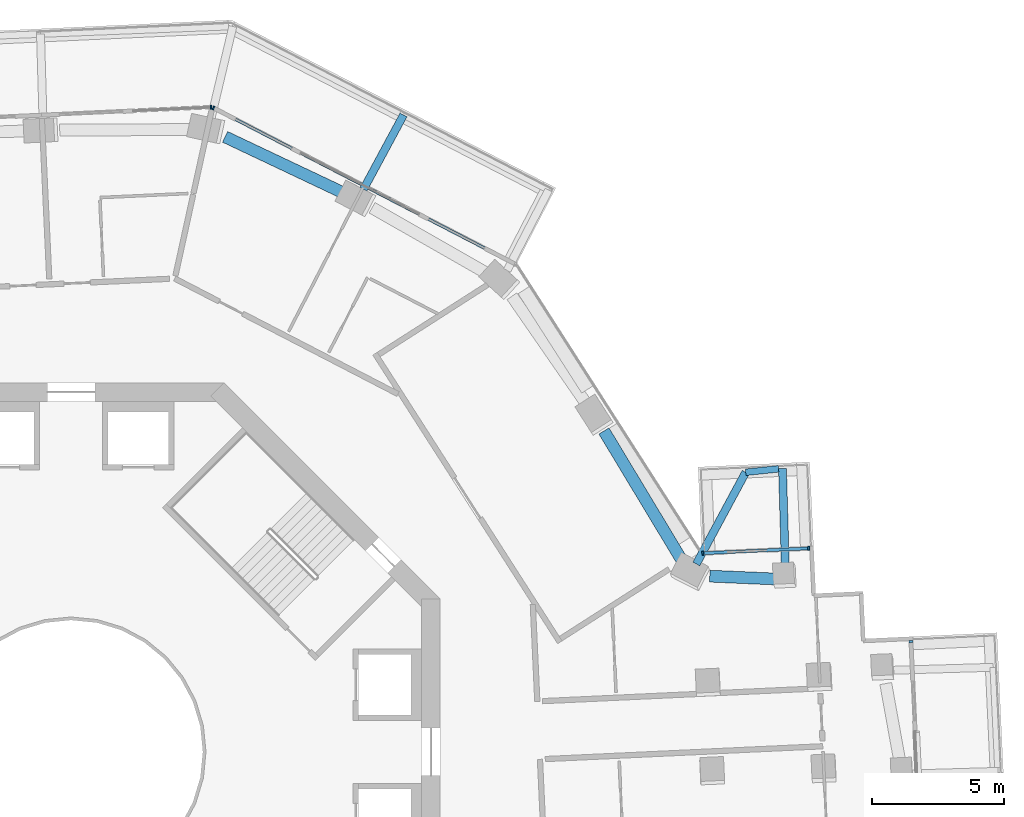
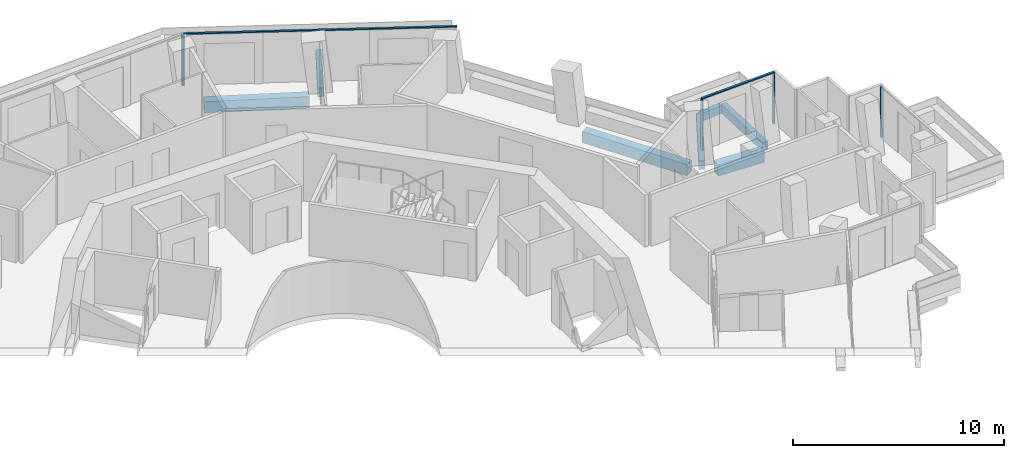
# One storey, part 9 of 22: 7 beams, 7 members, 4 elements without a shape of their own.
"""IFC4 building model written with IfcOpenShell, lengths in metres."""

from ifc_helpers import new_model, si_unit, direction, frame, origin, origin_2d, place, context, subcontext, project, spatial, rectangle, extrude, material, layer, layer_set, material_profile, profile_set, type_object, element, aggregate, save


model = new_model("IFC4")

# Units and contexts
model_context = context("Model", 3, precision=1e-05, world=origin(), true_north=direction((0.0, 1.0)))
body_context = subcontext(model_context, "Body", "Model", "MODEL_VIEW")
ifc_project = project(units=[si_unit("LENGTHUNIT", "METRE"), si_unit("AREAUNIT", "SQUARE_METRE"), si_unit("VOLUMEUNIT", "CUBIC_METRE"), si_unit("PLANEANGLEUNIT", "RADIAN"), si_unit("MASSUNIT", "GRAM", prefix="KILO")], contexts=[model_context])

# Site, building, storey
site_placement = place(None, origin())
site = spatial("IfcSite", under=ifc_project, at=site_placement, CompositionType="ELEMENT")
building_placement = place(site_placement, origin())
building = spatial("IfcBuilding", under=site, at=building_placement, Name="Verdalira Terraces Hotel", CompositionType="ELEMENT")
storey_placement = place(building_placement, frame((0.0, 0.0, 165.5)))
storey = spatial("IfcBuildingStorey", under=building, at=storey_placement, Name="L40", CompositionType="ELEMENT", Elevation=165.5)

# Beams
ifc_material_1 = material(Name="Concrete C40", Category="concrete")
ifc_material_profile_1 = material_profile(ifc_material_1, rectangle(XDim=0.300049, YDim=0.5, at=origin_2d()), Name="RC 300X500")
ifc_profile_set_1 = profile_set([ifc_material_profile_1], Name="Concrete C40")
beam_type_1 = type_object("IfcBeamType", Name="Balcony cantilever beam RC 300X500 C40", PredefinedType="BEAM", material=ifc_profile_set_1)
beam_1_placement = place(storey_placement, frame((27.101074, 6.984863, -0.560059), z_axis=(-0.029324861, 0.999569934, 0.0), x_axis=(-0.999569934, -0.029324861, 0.0)))
element("IfcBeam", 1, at=beam_1_placement, inside=storey, type_object=beam_type_1, Name="Balcony cantilever beam R38-1", PredefinedType="BEAM", context=body_context, shape_type="SweptSolid", body=[
    extrude(rectangle(XDim=0.300049, YDim=0.5, at=origin_2d()), origin(), (0.0, 0.0, 1.0), 3.771484),
])
beam_2_placement = place(storey_placement, frame((23.721191, 7.130615, -0.560059), z_axis=(0.474420444, 0.880298383, 0.0), x_axis=(-0.880298383, 0.474420444, 0.0)))
element("IfcBeam", 2, at=beam_2_placement, inside=storey, type_object=beam_type_1, Name="Balcony cantilever beam R38-2", PredefinedType="BEAM", context=body_context, shape_type="SweptSolid", body=[
    extrude(rectangle(XDim=0.300049, YDim=0.5, at=origin_2d()), origin(), (0.0, 0.0, 1.0), 3.950195),
])
beam_3_placement = place(storey_placement, frame((11.094482, 21.347168, -0.560059), z_axis=(0.474372721, 0.8803241, 0.0), x_axis=(-0.8803241, 0.474372721, 0.0)))
element("IfcBeam", 3, at=beam_3_placement, inside=storey, type_object=beam_type_1, Name="Balcony cantilever beam R40-2", PredefinedType="BEAM", context=body_context, shape_type="SweptSolid", body=[
    extrude(rectangle(XDim=0.300049, YDim=0.5, at=origin_2d()), origin(), (0.0, 0.0, 1.0), 3.200684),
])
ifc_material_2 = material(Name="Concrete C40", Category="concrete")
ifc_material_profile_2 = material_profile(ifc_material_2, rectangle(XDim=0.25, YDim=0.449951, at=origin_2d()), Name="RC 250X450")
ifc_profile_set_2 = profile_set([ifc_material_profile_2], Name="Concrete C40")
beam_type_2 = type_object("IfcBeamType", Name="Balcony edge beam RC 250X450 C40", PredefinedType="BEAM", material=ifc_profile_set_2)
beam_4_placement = place(storey_placement, frame((26.84082, 10.739014, -0.534912), z_axis=(-0.994506521, -0.104674638, 0.0), x_axis=(0.104674638, -0.994506521, 0.0)))
element("IfcBeam", 4, at=beam_4_placement, inside=storey, type_object=beam_type_2, Name="Balcony edge beam R38-1", PredefinedType="BEAM", context=body_context, shape_type="SweptSolid", body=[
    extrude(rectangle(XDim=0.25, YDim=0.449951, at=origin_2d()), origin(), (0.0, 0.0, 1.0), 1.252441),
])

# Curtain wall, member
ifc_material_3 = material(Name="Clear glass", Category="glass")
ifc_layer_1 = layer(ifc_material_3, 0.14990234375)
ifc_layer_set_1 = layer_set([ifc_layer_1], Name="CW1 curtain wall")
curtain_wall_type_1 = type_object("IfcCurtainWallType", Name="CW1 curtain wall", PredefinedType="NOTDEFINED", material=ifc_layer_set_1)
curtain_wall_1_placement = place(storey_placement, origin())
curtain_wall_1 = element("IfcCurtainWall", 5, at=curtain_wall_1_placement, inside=storey, type_object=curtain_wall_type_1, Name="CW1 curtain wall L40 edge 40", PredefinedType="NOTDEFINED")
ifc_material_4 = material(Name="Terracotta frame", Category="masonry")
ifc_material_profile_3 = material_profile(ifc_material_4, rectangle(XDim=0.060059, YDim=0.149902, at=origin_2d()), Name="MU 60x150")
ifc_profile_set_3 = profile_set([ifc_material_profile_3], Name="Terracotta frame")
member_type_1 = type_object("IfcMemberType", Name="CW1 mullion 60x150", PredefinedType="MULLION", material=ifc_profile_set_3)
member_1_placement = place(storey_placement, frame((5.403564, 24.433105, 0.0), z_axis=(0.0, 0.0, 1.0), x_axis=(-0.888136449, 0.459579861, 0.0)))
member_1 = element("IfcMember", 6, at=member_1_placement, type_object=member_type_1, Name="CW1 mullion", PredefinedType="MULLION", context=body_context, shape_type="SweptSolid", body=[
    extrude(rectangle(XDim=0.060059, YDim=0.149902, at=origin_2d()), origin(), (0.0, 0.0, 1.0), 2.935059),
])

curtain_wall_2_placement = place(storey_placement, origin())
curtain_wall_2 = element("IfcCurtainWall", 7, at=curtain_wall_2_placement, inside=storey, type_object=curtain_wall_type_1, Name="CW1 curtain wall L40 edge 41", PredefinedType="NOTDEFINED")
member_2_placement = place(storey_placement, frame((5.309082, 24.453857, 0.0), z_axis=(0.0, 0.0, 1.0), x_axis=(-0.998938657, -0.04606039, 0.0)))
member_2 = element("IfcMember", 8, at=member_2_placement, type_object=member_type_1, Name="CW1 mullion", PredefinedType="MULLION", context=body_context, shape_type="SweptSolid", body=[
    extrude(rectangle(XDim=0.060059, YDim=0.149902, at=origin_2d()), origin(), (0.0, 0.0, 1.0), 2.935059),
])
aggregate(curtain_wall_2, [member_2])

# Member
ifc_material_5 = material(Name="Terracotta frame", Category="masonry")
ifc_material_profile_4 = material_profile(ifc_material_5, rectangle(XDim=0.110107, YDim=0.064941, at=origin_2d()), Name="TR 65x110")
ifc_profile_set_4 = profile_set([ifc_material_profile_4], Name="Terracotta frame")
member_type_2 = type_object("IfcMemberType", Name="CW1 transom 65x110", PredefinedType="USERDEFINED", material=ifc_profile_set_4)
member_3_placement = place(storey_placement, frame((16.886963, 18.490723, 2.967529), z_axis=(-0.888135719, 0.459581271, 0.0), x_axis=(-0.459581271, -0.888135719, 0.0)))
member_3 = element("IfcMember", 9, at=member_3_placement, type_object=member_type_2, Name="CW1 transom", ObjectType="TRANSOM", PredefinedType="USERDEFINED", context=body_context, shape_type="SweptSolid", body=[
    extrude(rectangle(XDim=0.110107, YDim=0.064941, at=origin_2d()), origin(), (0.0, 0.0, 1.0), 12.959717),
])

aggregate(curtain_wall_1, [member_1, member_3])

# Curtain wall, members
ifc_material_6 = material(Name="Clear glass", Category="glass")
ifc_layer_2 = layer(ifc_material_6, 0.14990234375)
ifc_layer_set_2 = layer_set([ifc_layer_2], Name="CW2 curtain wall")
curtain_wall_type_2 = type_object("IfcCurtainWallType", Name="CW2 curtain wall", PredefinedType="NOTDEFINED", material=ifc_layer_set_2)
curtain_wall_3_placement = place(storey_placement, origin())
curtain_wall_3 = element("IfcCurtainWall", 10, at=curtain_wall_3_placement, inside=storey, type_object=curtain_wall_type_2, Name="CW2 curtain wall L40 edge 38", PredefinedType="NOTDEFINED")
ifc_material_7 = material(Name="Terracotta frame", Category="masonry")
ifc_material_profile_5 = material_profile(ifc_material_7, rectangle(XDim=0.070068, YDim=0.149902, at=origin_2d()), Name="MU 70x150")
ifc_profile_set_5 = profile_set([ifc_material_profile_5], Name="Terracotta frame")
member_type_3 = type_object("IfcMemberType", Name="CW2 mullion 70x150", PredefinedType="MULLION", material=ifc_profile_set_5)
member_4_placement = place(storey_placement, frame((27.987793, 7.722412, 0.0), z_axis=(0.0, 0.0, 1.0), x_axis=(-0.998938657, -0.04606039, 0.0)))
member_4 = element("IfcMember", 11, at=member_4_placement, type_object=member_type_3, Name="CW2 mullion", PredefinedType="MULLION", context=body_context, shape_type="SweptSolid", body=[
    extrude(rectangle(XDim=0.070068, YDim=0.149902, at=origin_2d()), origin(), (0.0, 0.0, 1.0), 2.935059),
])
member_5_placement = place(storey_placement, frame((23.97168, 7.537109, 0.0), z_axis=(0.0, 0.0, 1.0), x_axis=(-0.998938657, -0.04606039, 0.0)))
member_5 = element("IfcMember", 12, at=member_5_placement, type_object=member_type_3, Name="CW2 mullion", PredefinedType="MULLION", context=body_context, shape_type="SweptSolid", body=[
    extrude(rectangle(XDim=0.070068, YDim=0.149902, at=origin_2d()), origin(), (0.0, 0.0, 1.0), 2.935059),
])
ifc_material_8 = material(Name="Terracotta frame", Category="masonry")
ifc_material_profile_6 = material_profile(ifc_material_8, rectangle(XDim=0.11499, YDim=0.064941, at=origin_2d()), Name="TR 65x115")
ifc_profile_set_6 = profile_set([ifc_material_profile_6], Name="Terracotta frame")
member_type_4 = type_object("IfcMemberType", Name="CW2 transom 65x115", PredefinedType="USERDEFINED", material=ifc_profile_set_6)
member_6_placement = place(storey_placement, frame((28.022705, 7.723877, 2.967529), z_axis=(-0.998940539, -0.046019548, 0.0), x_axis=(0.046019548, -0.998940539, 0.0)))
member_6 = element("IfcMember", 13, at=member_6_placement, type_object=member_type_4, Name="CW2 transom", ObjectType="TRANSOM", PredefinedType="USERDEFINED", context=body_context, shape_type="SweptSolid", body=[
    extrude(rectangle(XDim=0.11499, YDim=0.064941, at=origin_2d()), origin(), (0.0, 0.0, 1.0), 4.090332),
])
aggregate(curtain_wall_3, [member_4, member_5, member_6])

# Curtain wall, member
ifc_material_9 = material(Name="Clear glass", Category="glass")
ifc_layer_3 = layer(ifc_material_9, 0.14990234375)
ifc_layer_set_3 = layer_set([ifc_layer_3], Name="CW3 curtain wall")
curtain_wall_type_3 = type_object("IfcCurtainWallType", Name="CW3 curtain wall", PredefinedType="NOTDEFINED", material=ifc_layer_set_3)
curtain_wall_4_placement = place(storey_placement, origin())
curtain_wall_4 = element("IfcCurtainWall", 14, at=curtain_wall_4_placement, inside=storey, type_object=curtain_wall_type_3, Name="CW3 curtain wall L40 edge 33", PredefinedType="NOTDEFINED")
ifc_material_10 = material(Name="Terracotta frame", Category="masonry")
ifc_material_profile_7 = material_profile(ifc_material_10, rectangle(XDim=0.080078, YDim=0.149902, at=origin_2d()), Name="MU 80x150")
ifc_profile_set_7 = profile_set([ifc_material_profile_7], Name="Terracotta frame")
member_type_5 = type_object("IfcMemberType", Name="CW3 mullion 80x150", PredefinedType="MULLION", material=ifc_profile_set_7)
member_7_placement = place(storey_placement, frame((31.86499, 4.182129, 0.0), z_axis=(0.0, 0.0, 1.0), x_axis=(-0.04606039, 0.998938657, 0.0)))
member_7 = element("IfcMember", 15, at=member_7_placement, type_object=member_type_5, Name="CW3 mullion", PredefinedType="MULLION", context=body_context, shape_type="SweptSolid", body=[
    extrude(rectangle(XDim=0.080078, YDim=0.149902, at=origin_2d()), origin(), (0.0, 0.0, 1.0), 2.935059),
])
aggregate(curtain_wall_4, [member_7])

# Beams
ifc_material_11 = material(Name="Concrete C50", Category="concrete")
ifc_material_profile_8 = material_profile(ifc_material_11, rectangle(XDim=0.449951, YDim=0.649902, at=origin_2d()), Name="RC 450X650")
ifc_profile_set_8 = profile_set([ifc_material_profile_8], Name="Concrete C50")
beam_type_3 = type_object("IfcBeamType", Name="Spandrel beam RC 450X650 C50", PredefinedType="SPANDREL", material=ifc_profile_set_8)
beam_5_placement = place(storey_placement, frame((26.706787, 6.561279, -0.63501), z_axis=(-0.999081089, 0.042859988, 0.0), x_axis=(-0.042859988, -0.999081089, 0.0)))
element("IfcBeam", 16, at=beam_5_placement, inside=storey, type_object=beam_type_3, Name="Spandrel beam B17", PredefinedType="SPANDREL", context=body_context, shape_type="SweptSolid", body=[
    extrude(rectangle(XDim=0.449951, YDim=0.649902, at=origin_2d()), origin(), (0.0, 0.0, 1.0), 2.477783),
])
beam_6_placement = place(storey_placement, frame((23.144287, 7.318115, -0.63501), z_axis=(-0.516083792, 0.856538102, 0.0), x_axis=(-0.856538102, -0.516083792, 0.0)))
element("IfcBeam", 17, at=beam_6_placement, inside=storey, type_object=beam_type_3, Name="Spandrel beam B18", PredefinedType="SPANDREL", context=body_context, shape_type="SweptSolid", body=[
    extrude(rectangle(XDim=0.449951, YDim=0.649902, at=origin_2d()), origin(), (0.0, 0.0, 1.0), 5.671631),
])
beam_7_placement = place(storey_placement, frame((10.373291, 21.189697, -0.63501), z_axis=(-0.903798331, 0.427958617, 0.0), x_axis=(-0.427958617, -0.903798331, 0.0)))
element("IfcBeam", 18, at=beam_7_placement, inside=storey, type_object=beam_type_3, Name="Spandrel beam B21", PredefinedType="SPANDREL", context=body_context, shape_type="SweptSolid", body=[
    extrude(rectangle(XDim=0.449951, YDim=0.649902, at=origin_2d()), origin(), (0.0, 0.0, 1.0), 5.012207),
])

save(model, "model.ifc")
